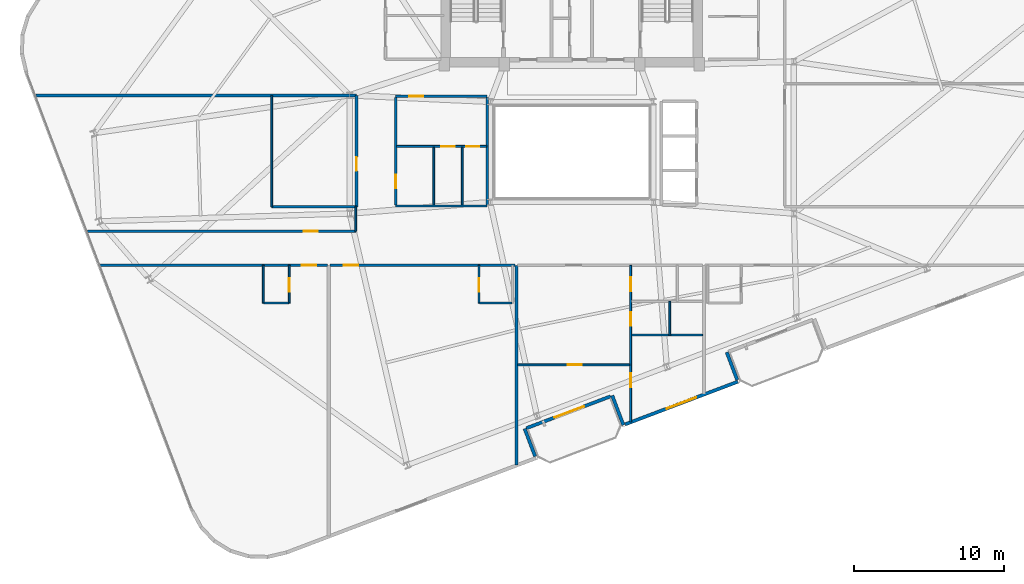
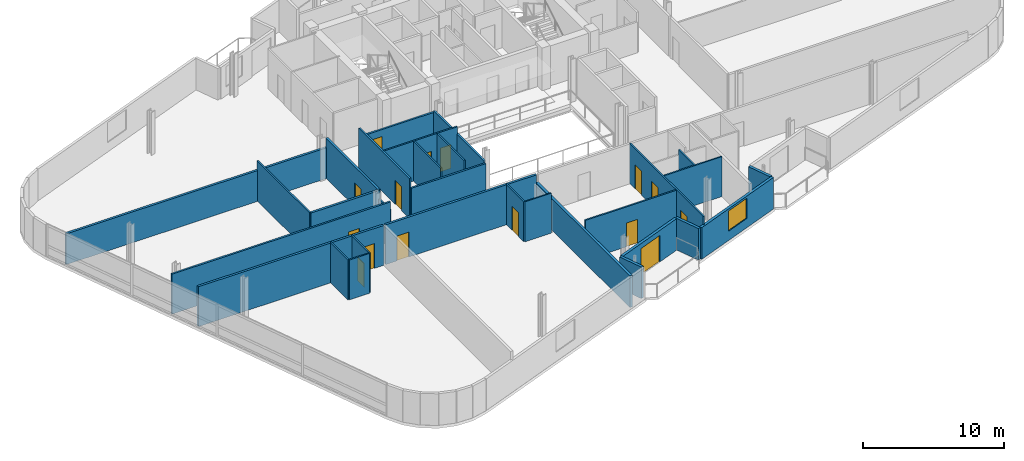
# One storey, part 14 of 20: 30 walls, 15 doors, 1 window, 16 openings.
"""IFC4 building model written with IfcOpenShell, lengths in metres."""

from ifc_helpers import new_model, si_unit, direction, frame, frame_2d, origin, place, context, subcontext, project, spatial, rectangle, extrude, material, layer, layer_set, type_object, element, fill, save


model = new_model("IFC4")

# Units and contexts
model_context = context("Model", 3, precision=1e-05, world=origin(), true_north=direction((0.0, 1.0)))
body_context = subcontext(model_context, "Body", "Model", "MODEL_VIEW")
ifc_project = project(units=[si_unit("LENGTHUNIT", "METRE"), si_unit("AREAUNIT", "SQUARE_METRE"), si_unit("VOLUMEUNIT", "CUBIC_METRE"), si_unit("PLANEANGLEUNIT", "RADIAN"), si_unit("MASSUNIT", "GRAM", prefix="KILO")], contexts=[model_context])

# Site, building, storey
site_placement = place(None, origin())
site = spatial("IfcSite", under=ifc_project, at=site_placement, CompositionType="ELEMENT")
building_placement = place(site_placement, origin())
building = spatial("IfcBuilding", under=site, at=building_placement, Name="Varnelok Gate Tower", CompositionType="ELEMENT")
storey_placement = place(building_placement, frame((0.0, 0.0, 223.800048828125)))
storey = spatial("IfcBuildingStorey", under=building, at=storey_placement, Name="L57", CompositionType="ELEMENT", Elevation=223.800048828125)

# Wall, opening, door
ifc_material_1 = material(Name="Concrete C45/55", Category="concrete")
ifc_layer_1 = layer(ifc_material_1, 0.219970703125)
ifc_layer_set_1 = layer_set([ifc_layer_1], Name="Concrete C45/55")
wall_type_1 = type_object("IfcWallType", Name="EW-BALC-220", PredefinedType="SOLIDWALL", material=ifc_layer_set_1)
wall_1_placement = place(storey_placement, frame((41.783203125, 6.6142578125, 0.0), z_axis=(0.0, 0.0, 1.0), x_axis=(-0.93521416643, -0.354082565101, 0.0)))
wall_1 = element("IfcWall", 1, at=wall_1_placement, inside=storey, type_object=wall_type_1, Name="L57 South Terrace Envelope Wall 1", PredefinedType="SOLIDWALL", context=body_context, shape_type="SweptSolid", body=[
    extrude(rectangle(XDim=6.0, YDim=0.219970703125, at=frame_2d((3.0, 0.0))), origin(), (0.0, 0.0, 1.0), 2.72998046875),
])
opening_1_placement = place(wall_1_placement, frame((1.887939453125, 0.0, 0.0)))
opening_1 = element("IfcOpeningElement", 2, at=opening_1_placement, cuts=wall_1, Name="Opening BD-2", PredefinedType="OPENING", context=body_context, shape_type="SweptSolid", body=[
    extrude(rectangle(XDim=2.10009765625, YDim=2.300048828125, at=frame_2d((1.050048828125, 1.14990234375))), frame((0.0, 0.119873046875, 0.0), z_axis=(0.0, -1.0, 0.0), x_axis=(1.0, 0.0, 0.0)), (0.0, 0.0, 1.0), 0.239990234375),
])
ifc_material_2 = material(Name="Anodized Aluminum Alloy 6063-T6", Category="aluminium")
door_type_1 = type_object("IfcDoorType", Name="DR-EXT-SLID2100", OperationType="SLIDING_TO_LEFT", PredefinedType="DOOR", material=ifc_material_2)
door_1_placement = place(opening_1_placement, origin())
door_1 = element("IfcDoor", 3, at=door_1_placement, inside=storey, type_object=door_type_1, Name="L57 South Balcony Glazed Door 1", OperationType="SLIDING_TO_LEFT", OverallHeight=2.300048828125, OverallWidth=2.10009765625, PredefinedType="DOOR", context=body_context, shape_type="SweptSolid", body=[
    extrude(rectangle(XDim=2.10009765625, YDim=2.300048828125, at=frame_2d((1.050048828125, 1.14990234375))), frame((0.0, 0.02490234375, 0.0), z_axis=(0.0, -1.0, 0.0), x_axis=(1.0, 0.0, 0.0)), (0.0, 0.0, 1.0), 0.050048828125),
])
fill(opening_1, door_1)

# Walls
wall_2_placement = place(storey_placement, frame((36.75537109375, 2.609619140625, 0.0), z_axis=(0.0, 0.0, 1.0), x_axis=(-0.354020680661, 0.935237594232, 0.0)))
element("IfcWall", 4, at=wall_2_placement, inside=storey, type_object=wall_type_1, Name="L57 Perimeter Facade Closure Wall 8", PredefinedType="SOLIDWALL", context=body_context, shape_type="SweptSolid", body=[
    extrude(rectangle(XDim=1.97509765625, YDim=0.219970703125, at=frame_2d((0.987548828125, 0.0))), origin(), (0.0, 0.0, 1.0), 2.72998046875),
])
wall_3_placement = place(storey_placement, frame((41.891845703125, 6.666015625, 0.0), z_axis=(0.0, 0.0, 1.0), x_axis=(0.354128469405, -0.935196785258, 0.0)))
element("IfcWall", 5, at=wall_3_placement, inside=storey, type_object=wall_type_1, Name="L57 Perimeter Facade Closure Wall 9", PredefinedType="SOLIDWALL", context=body_context, shape_type="SweptSolid", body=[
    extrude(rectangle(XDim=2.099853515625, YDim=0.219970703125, at=frame_2d((1.0498046875, 0.0))), origin(), (0.0, 0.0, 1.0), 2.72998046875),
])

# Wall, opening, window
wall_4_placement = place(storey_placement, frame((42.75244140625, 4.746337890625, 0.0), z_axis=(0.0, 0.0, 1.0), x_axis=(0.935216926991, 0.354075273733, 0.0)))
wall_4 = element("IfcWall", 6, at=wall_4_placement, inside=storey, type_object=wall_type_1, Name="L57 Perimeter Facade Closure Wall 10", PredefinedType="SOLIDWALL", context=body_context, shape_type="SweptSolid", body=[
    extrude(rectangle(XDim=8.034912109375, YDim=0.219970703125, at=frame_2d((4.017578125, 0.0))), origin(), (0.0, 0.0, 1.0), 2.72998046875),
])
opening_2_placement = place(wall_4_placement, frame((2.967529296875, 0.0, 0.800048828125)))
opening_2 = element("IfcOpeningElement", 7, at=opening_2_placement, cuts=wall_4, Name="Opening WN4", PredefinedType="OPENING", context=body_context, shape_type="SweptSolid", body=[
    extrude(rectangle(XDim=2.10009765625, YDim=1.75, at=frame_2d((1.050048828125, 0.875))), frame((0.0, 0.119873046875, 0.0), z_axis=(0.0, -1.0, 0.0), x_axis=(1.0, 0.0, 0.0)), (0.0, 0.0, 1.0), 0.239990234375),
])
ifc_material_3 = material(Name="Low-E Laminated Double Glazing IGU", Category="glass")
window_type = type_object("IfcWindowType", Name="WN-SUI-2100", PartitioningType="SINGLE_PANEL", PredefinedType="WINDOW", material=ifc_material_3)
window_placement = place(opening_2_placement, origin())
window = element("IfcWindow", 8, at=window_placement, inside=storey, type_object=window_type, Name="L57 Perimeter Vision Window 10", OverallHeight=1.75, OverallWidth=2.10009765625, PartitioningType="SINGLE_PANEL", PredefinedType="WINDOW", context=body_context, shape_type="SweptSolid", body=[
    extrude(rectangle(XDim=2.10009765625, YDim=1.75, at=frame_2d((1.050048828125, 0.875))), frame((0.0, 0.030029296875, 0.0), z_axis=(0.0, -1.0, 0.0), x_axis=(1.0, 0.0, 0.0)), (0.0, 0.0, 1.0), 0.06005859375),
])
fill(opening_2, window)

# Wall
wall_5_placement = place(storey_placement, frame((50.22265625, 7.7080078125, 0.0), z_axis=(0.0, 0.0, 1.0), x_axis=(-0.354020680661, 0.935237594232, 0.0)))
element("IfcWall", 9, at=wall_5_placement, inside=storey, type_object=wall_type_1, Name="L57 Perimeter Facade Closure Wall 11", PredefinedType="SOLIDWALL", context=body_context, shape_type="SweptSolid", body=[
    extrude(rectangle(XDim=1.97509765625, YDim=0.219970703125, at=frame_2d((0.987548828125, 0.0))), origin(), (0.0, 0.0, 1.0), 2.72998046875),
])

# Wall, opening, door
ifc_material_4 = material(Name="Gypsum Plasterboard Acoustic Partition", Category="gypsum")
ifc_layer_2 = layer(ifc_material_4, 0.179931640625)
ifc_layer_set_2 = layer_set([ifc_layer_2], Name="Gypsum Plasterboard Acoustic Partition")
wall_type_2 = type_object("IfcWallType", Name="PW-CORR-180", PredefinedType="PARTITIONING", material=ifc_layer_set_2)
wall_6_placement = place(storey_placement, frame((7.763916015625, 15.35009765625, 0.0), z_axis=(0.0, 0.0, 1.0), x_axis=(1.0, 0.0, 0.0)))
wall_6 = element("IfcWall", 10, at=wall_6_placement, inside=storey, type_object=wall_type_2, Name="Interior Partition", PredefinedType="PARTITIONING", context=body_context, shape_type="SweptSolid", body=[
    extrude(rectangle(XDim=15.156005859375, YDim=0.179931640625, at=frame_2d((7.578125, 0.0))), origin(), (0.0, 0.0, 1.0), 3.449951171875),
])
opening_3_placement = place(wall_6_placement, frame((13.44970703125, 0.0, 0.0)))
opening_3 = element("IfcOpeningElement", 11, at=opening_3_placement, cuts=wall_6, Name="Opening D-HT", PredefinedType="OPENING", context=body_context, shape_type="SweptSolid", body=[
    extrude(rectangle(XDim=0.949951171875, YDim=2.14990234375, at=frame_2d((0.47509765625, 1.074951171875))), frame((0.0, 0.099853515625, 0.0), z_axis=(0.0, -1.0, 0.0), x_axis=(1.0, 0.0, 0.0)), (0.0, 0.0, 1.0), 0.199951171875),
])
ifc_material_5 = material(Name="Engineered Hardwood Timber", Category="wood")
door_type_2 = type_object("IfcDoorType", Name="DR-HTL-950", OperationType="NOTDEFINED", PredefinedType="DOOR", material=ifc_material_5)
door_2_placement = place(opening_3_placement, origin())
door_2 = element("IfcDoor", 12, at=door_2_placement, inside=storey, type_object=door_type_2, Name="L57 Guest Room 01 Entrance Door", OperationType="SINGLE_SWING_RIGHT", OverallHeight=2.14990234375, OverallWidth=0.949951171875, PredefinedType="DOOR", context=body_context, shape_type="SweptSolid", body=[
    extrude(rectangle(XDim=0.949951171875, YDim=2.14990234375, at=frame_2d((0.47509765625, 1.074951171875))), frame((0.0, 0.02490234375, 0.0), z_axis=(0.0, -1.0, 0.0), x_axis=(1.0, 0.0, 0.0)), (0.0, 0.0, 1.0), 0.050048828125),
])
fill(opening_3, door_2)

wall_7_placement = place(storey_placement, frame((23.080078125, 15.35009765625, 0.0), z_axis=(0.0, 0.0, 1.0), x_axis=(1.0, 0.0, 0.0)))
wall_7 = element("IfcWall", 13, at=wall_7_placement, inside=storey, type_object=wall_type_2, Name="Interior Partition", PredefinedType="PARTITIONING", context=body_context, shape_type="SweptSolid", body=[
    extrude(rectangle(XDim=12.33984375, YDim=0.179931640625, at=frame_2d((6.169921875, 0.0))), origin(), (0.0, 0.0, 1.0), 3.449951171875),
])
opening_4_placement = place(wall_7_placement, frame((0.933349609375, 0.0, 0.0)))
opening_4 = element("IfcOpeningElement", 14, at=opening_4_placement, cuts=wall_7, Name="Opening D-HT", PredefinedType="OPENING", context=body_context, shape_type="SweptSolid", body=[
    extrude(rectangle(XDim=0.949951171875, YDim=2.14990234375, at=frame_2d((0.47509765625, 1.074951171875))), frame((0.0, 0.099853515625, 0.0), z_axis=(0.0, -1.0, 0.0), x_axis=(1.0, 0.0, 0.0)), (0.0, 0.0, 1.0), 0.199951171875),
])
door_3_placement = place(opening_4_placement, origin())
door_3 = element("IfcDoor", 15, at=door_3_placement, inside=storey, type_object=door_type_2, Name="L57 Guest Room 02 Entrance Door", OperationType="SINGLE_SWING_LEFT", OverallHeight=2.14990234375, OverallWidth=0.949951171875, PredefinedType="DOOR", context=body_context, shape_type="SweptSolid", body=[
    extrude(rectangle(XDim=0.949951171875, YDim=2.14990234375, at=frame_2d((0.47509765625, 1.074951171875))), frame((0.0, 0.02490234375, 0.0), z_axis=(0.0, -1.0, 0.0), x_axis=(1.0, 0.0, 0.0)), (0.0, 0.0, 1.0), 0.050048828125),
])
fill(opening_4, door_3)

wall_8_placement = place(storey_placement, frame((24.85009765625, 19.239990234375, 0.0), z_axis=(0.0, 0.0, 1.0), x_axis=(0.0, 1.0, 0.0)))
wall_8 = element("IfcWall", 16, at=wall_8_placement, inside=storey, type_object=wall_type_2, Name="Interior Partition", PredefinedType="PARTITIONING", context=body_context, shape_type="SweptSolid", body=[
    extrude(rectangle(XDim=7.419921875, YDim=0.179931640625, at=frame_2d((3.7099609375, 0.0))), origin(), (0.0, 0.0, 1.0), 3.449951171875),
])
opening_5_placement = place(wall_8_placement, frame((2.39990234375, 0.0, 0.0)))
opening_5 = element("IfcOpeningElement", 17, at=opening_5_placement, cuts=wall_8, Name="Opening D-I3", PredefinedType="OPENING", context=body_context, shape_type="SweptSolid", body=[
    extrude(rectangle(XDim=0.919921875, YDim=2.050048828125, at=frame_2d((0.4599609375, 1.02490234375))), frame((0.0, 0.099853515625, 0.0), z_axis=(0.0, -1.0, 0.0), x_axis=(1.0, 0.0, 0.0)), (0.0, 0.0, 1.0), 0.199951171875),
])
door_type_3 = type_object("IfcDoorType", Name="DR-INT-920", OperationType="NOTDEFINED", PredefinedType="DOOR", material=ifc_material_5)
door_4_placement = place(opening_5_placement, origin())
door_4 = element("IfcDoor", 18, at=door_4_placement, inside=storey, type_object=door_type_3, Name="L57 West Playroom Door", OperationType="SINGLE_SWING_LEFT", OverallHeight=2.050048828125, OverallWidth=0.919921875, PredefinedType="DOOR", context=body_context, shape_type="SweptSolid", body=[
    extrude(rectangle(XDim=0.919921875, YDim=2.050048828125, at=frame_2d((0.4599609375, 1.02490234375))), frame((0.0, 0.02490234375, 0.0), z_axis=(0.0, -1.0, 0.0), x_axis=(1.0, 0.0, 0.0)), (0.0, 0.0, 1.0), 0.050048828125),
])
fill(opening_5, door_4)

# Walls
wall_9_placement = place(storey_placement, frame((19.199951171875, 19.239990234375, 0.0), z_axis=(0.0, 0.0, 1.0), x_axis=(1.0, 0.0, 0.0)))
element("IfcWall", 19, at=wall_9_placement, inside=storey, type_object=wall_type_2, Name="Interior Partition", PredefinedType="PARTITIONING", context=body_context, shape_type="SweptSolid", body=[
    extrude(rectangle(XDim=5.650146484375, YDim=0.179931640625, at=frame_2d((2.8251953125, 0.0))), origin(), (0.0, 0.0, 1.0), 3.449951171875),
])
wall_10_placement = place(storey_placement, frame((3.482177734375, 26.659912109375, 0.0), z_axis=(0.0, 0.0, 1.0), x_axis=(1.0, 0.0, 0.0)))
element("IfcWall", 20, at=wall_10_placement, inside=storey, type_object=wall_type_2, Name="Interior Partition", PredefinedType="PARTITIONING", context=body_context, shape_type="SweptSolid", body=[
    extrude(rectangle(XDim=21.367919921875, YDim=0.179931640625, at=frame_2d((10.68408203125, 0.0))), origin(), (0.0, 0.0, 1.0), 2.661865234375),
])
ifc_layer_3 = layer(ifc_material_4, 0.114990234375)
ifc_layer_set_3 = layer_set([ifc_layer_3], Name="Gypsum Plasterboard Acoustic Partition")
wall_type_3 = type_object("IfcWallType", Name="PW-ENS-125", PredefinedType="PARTITIONING", material=ifc_layer_set_3)
wall_11_placement = place(storey_placement, frame((18.679931640625, 12.830078125, 0.0), z_axis=(0.0, 0.0, 1.0), x_axis=(1.0, 0.0, 0.0)))
element("IfcWall", 21, at=wall_11_placement, inside=storey, type_object=wall_type_3, Name="Interior Partition", PredefinedType="PARTITIONING", context=body_context, shape_type="SweptSolid", body=[
    extrude(rectangle(XDim=1.650146484375, YDim=0.114990234375, at=frame_2d((0.8251953125, 0.0))), origin(), (0.0, 0.0, 1.0), 3.449951171875),
])

# Wall, opening, door
wall_12_placement = place(storey_placement, frame((20.3701171875, 12.830078125, 0.0), z_axis=(0.0, 0.0, 1.0), x_axis=(0.0, 1.0, 0.0)))
wall_12 = element("IfcWall", 22, at=wall_12_placement, inside=storey, type_object=wall_type_3, Name="Interior Partition", PredefinedType="PARTITIONING", context=body_context, shape_type="SweptSolid", body=[
    extrude(rectangle(XDim=2.52001953125, YDim=0.114990234375, at=frame_2d((1.260009765625, 0.0))), origin(), (0.0, 0.0, 1.0), 3.449951171875),
])
opening_6_placement = place(wall_12_placement, frame((0.760009765625, 0.0, 0.0)))
opening_6 = element("IfcOpeningElement", 23, at=opening_6_placement, cuts=wall_12, Name="Opening D-WC", PredefinedType="OPENING", context=body_context, shape_type="SweptSolid", body=[
    extrude(rectangle(XDim=0.89990234375, YDim=2.050048828125, at=frame_2d((0.449951171875, 1.02490234375))), frame((0.0, 0.0673828125, 0.0), z_axis=(0.0, -1.0, 0.0), x_axis=(1.0, 0.0, 0.0)), (0.0, 0.0, 1.0), 0.135009765625),
])
door_type_4 = type_object("IfcDoorType", Name="DR-BATH-900", OperationType="NOTDEFINED", PredefinedType="DOOR", material=ifc_material_5)
door_5_placement = place(opening_6_placement, origin())
door_5 = element("IfcDoor", 24, at=door_5_placement, inside=storey, type_object=door_type_4, Name="L57 Guest En-Suite 01 Door", OperationType="SINGLE_SWING_LEFT", OverallHeight=2.050048828125, OverallWidth=0.89990234375, PredefinedType="DOOR", context=body_context, shape_type="SweptSolid", body=[
    extrude(rectangle(XDim=0.89990234375, YDim=2.050048828125, at=frame_2d((0.449951171875, 1.02490234375))), frame((0.0, 0.02490234375, 0.0), z_axis=(0.0, -1.0, 0.0), x_axis=(1.0, 0.0, 0.0)), (0.0, 0.0, 1.0), 0.050048828125),
])
fill(opening_6, door_5)

# Walls
wall_13_placement = place(storey_placement, frame((18.639892578125, 12.830078125, 0.0), z_axis=(0.0, 0.0, 1.0), x_axis=(0.0, 1.0, 0.0)))
element("IfcWall", 25, at=wall_13_placement, inside=storey, type_object=wall_type_3, Name="Interior Partition", PredefinedType="PARTITIONING", context=body_context, shape_type="SweptSolid", body=[
    extrude(rectangle(XDim=2.52001953125, YDim=0.114990234375, at=frame_2d((1.260009765625, 0.0))), origin(), (0.0, 0.0, 1.0), 3.449951171875),
])
wall_14_placement = place(storey_placement, frame((33.050048828125, 12.830078125, 0.0), z_axis=(0.0, 0.0, 1.0), x_axis=(1.0, 0.0, 0.0)))
element("IfcWall", 26, at=wall_14_placement, inside=storey, type_object=wall_type_3, Name="Interior Partition", PredefinedType="PARTITIONING", context=body_context, shape_type="SweptSolid", body=[
    extrude(rectangle(XDim=2.14990234375, YDim=0.114990234375, at=frame_2d((1.074951171875, 0.0))), origin(), (0.0, 0.0, 1.0), 3.449951171875),
])

# Wall, opening, door
wall_15_placement = place(storey_placement, frame((33.010009765625, 12.830078125, 0.0), z_axis=(0.0, 0.0, 1.0), x_axis=(0.0, 1.0, 0.0)))
wall_15 = element("IfcWall", 27, at=wall_15_placement, inside=storey, type_object=wall_type_3, Name="Interior Partition", PredefinedType="PARTITIONING", context=body_context, shape_type="SweptSolid", body=[
    extrude(rectangle(XDim=2.52001953125, YDim=0.114990234375, at=frame_2d((1.260009765625, 0.0))), origin(), (0.0, 0.0, 1.0), 3.449951171875),
])
opening_7_placement = place(wall_15_placement, frame((0.760009765625, 0.0, 0.0)))
opening_7 = element("IfcOpeningElement", 28, at=opening_7_placement, cuts=wall_15, Name="Opening D-WC", PredefinedType="OPENING", context=body_context, shape_type="SweptSolid", body=[
    extrude(rectangle(XDim=0.89990234375, YDim=2.050048828125, at=frame_2d((0.449951171875, 1.02490234375))), frame((0.0, 0.0673828125, 0.0), z_axis=(0.0, -1.0, 0.0), x_axis=(1.0, 0.0, 0.0)), (0.0, 0.0, 1.0), 0.135009765625),
])
door_6_placement = place(opening_7_placement, origin())
door_6 = element("IfcDoor", 29, at=door_6_placement, inside=storey, type_object=door_type_4, Name="L57 Guest En-Suite 02 Door", OperationType="SINGLE_SWING_RIGHT", OverallHeight=2.050048828125, OverallWidth=0.89990234375, PredefinedType="DOOR", context=body_context, shape_type="SweptSolid", body=[
    extrude(rectangle(XDim=0.89990234375, YDim=2.050048828125, at=frame_2d((0.449951171875, 1.02490234375))), frame((0.0, 0.02490234375, 0.0), z_axis=(0.0, -1.0, 0.0), x_axis=(1.0, 0.0, 0.0)), (0.0, 0.0, 1.0), 0.050048828125),
])
fill(opening_7, door_6)

# Walls
wall_16_placement = place(storey_placement, frame((43.18994140625, 10.699951171875, 0.0), z_axis=(0.0, 0.0, 1.0), x_axis=(1.0, 0.0, 0.0)))
element("IfcWall", 30, at=wall_16_placement, inside=storey, type_object=wall_type_3, Name="Interior Partition", PredefinedType="PARTITIONING", context=body_context, shape_type="SweptSolid", body=[
    extrude(rectangle(XDim=4.72998046875, YDim=0.114990234375, at=frame_2d((2.364990234375, 0.0))), origin(), (0.0, 0.0, 1.0), 3.449951171875),
])
wall_17_placement = place(storey_placement, frame((45.72998046875, 10.699951171875, 0.0), z_axis=(0.0, 0.0, 1.0), x_axis=(0.0, 1.0, 0.0)))
element("IfcWall", 31, at=wall_17_placement, inside=storey, type_object=wall_type_3, Name="Interior Partition", PredefinedType="PARTITIONING", context=body_context, shape_type="SweptSolid", body=[
    extrude(rectangle(XDim=2.239990234375, YDim=0.114990234375, at=frame_2d((1.1201171875, 0.0))), origin(), (0.0, 0.0, 1.0), 3.449951171875),
])
ifc_layer_4 = layer(ifc_material_4, 0.125)
ifc_layer_set_4 = layer_set([ifc_layer_4], Name="Gypsum Plasterboard Acoustic Partition")
wall_type_4 = type_object("IfcWallType", Name="PW-PART-125", PredefinedType="PARTITIONING", material=ifc_layer_set_4)
wall_18_placement = place(storey_placement, frame((24.800048828125, 17.610107421875, 0.0), z_axis=(0.0, 0.0, 1.0), x_axis=(0.0, 1.0, 0.0)))
element("IfcWall", 32, at=wall_18_placement, inside=storey, type_object=wall_type_4, Name="Interior Partition", PredefinedType="PARTITIONING", context=body_context, shape_type="SweptSolid", body=[
    extrude(rectangle(XDim=1.6298828125, YDim=0.125, at=frame_2d((0.81494140625, 0.0))), origin(), (0.0, 0.0, 1.0), 2.739013671875),
])

# Wall, opening, door
wall_19_placement = place(storey_placement, frame((35.580078125, 8.7119140625, 0.0), z_axis=(0.0, 0.0, 1.0), x_axis=(1.0, 0.0, 0.0)))
wall_19 = element("IfcWall", 33, at=wall_19_placement, inside=storey, type_object=wall_type_4, Name="Interior Partition", PredefinedType="PARTITIONING", context=body_context, shape_type="SweptSolid", body=[
    extrude(rectangle(XDim=7.469970703125, YDim=0.125, at=frame_2d((3.73486328125, 0.0))), origin(), (0.0, 0.0, 1.0), 3.449951171875),
])
opening_8_placement = place(wall_19_placement, frame((3.361572265625, 0.0, 0.0)))
opening_8 = element("IfcOpeningElement", 34, at=opening_8_placement, cuts=wall_19, Name="Opening D-I3", PredefinedType="OPENING", context=body_context, shape_type="SweptSolid", body=[
    extrude(rectangle(XDim=0.919921875, YDim=2.050048828125, at=frame_2d((0.4599609375, 1.02490234375))), frame((0.0, 0.072509765625, 0.0), z_axis=(0.0, -1.0, 0.0), x_axis=(1.0, 0.0, 0.0)), (0.0, 0.0, 1.0), 0.14501953125),
])
door_7_placement = place(opening_8_placement, origin())
door_7 = element("IfcDoor", 35, at=door_7_placement, inside=storey, type_object=door_type_3, Name="L57 Apartment 3 Study Door", OperationType="SINGLE_SWING_LEFT", OverallHeight=2.050048828125, OverallWidth=0.919921875, PredefinedType="DOOR", context=body_context, shape_type="SweptSolid", body=[
    extrude(rectangle(XDim=0.919921875, YDim=2.050048828125, at=frame_2d((0.4599609375, 1.02490234375))), frame((0.0, 0.02490234375, 0.0), z_axis=(0.0, -1.0, 0.0), x_axis=(1.0, 0.0, 0.0)), (0.0, 0.0, 1.0), 0.050048828125),
])
fill(opening_8, door_7)

# Wall, openings, doors
wall_20_placement = place(storey_placement, frame((43.1201171875, 4.906982421875, 0.0), z_axis=(0.0, 0.0, 1.0), x_axis=(0.0, 1.0, 0.0)))
wall_20 = element("IfcWall", 36, at=wall_20_placement, inside=storey, type_object=wall_type_4, Name="Interior Partition", PredefinedType="PARTITIONING", context=body_context, shape_type="SweptSolid", body=[
    extrude(rectangle(XDim=10.443115234375, YDim=0.125, at=frame_2d((5.2216796875, 0.0))), origin(), (0.0, 0.0, 1.0), 3.449951171875),
])
opening_9_placement = place(wall_20_placement, frame((2.31982421875, 0.0, 0.0)))
opening_9 = element("IfcOpeningElement", 37, at=opening_9_placement, cuts=wall_20, Name="Opening D-I3", PredefinedType="OPENING", context=body_context, shape_type="SweptSolid", body=[
    extrude(rectangle(XDim=0.919921875, YDim=2.050048828125, at=frame_2d((0.4599609375, 1.02490234375))), frame((0.0, 0.072509765625, 0.0), z_axis=(0.0, -1.0, 0.0), x_axis=(1.0, 0.0, 0.0)), (0.0, 0.0, 1.0), 0.14501953125),
])
opening_10_placement = place(wall_20_placement, frame((6.42041015625, 0.0, 0.0)))
opening_10 = element("IfcOpeningElement", 38, at=opening_10_placement, cuts=wall_20, Name="Opening D-WC", PredefinedType="OPENING", context=body_context, shape_type="SweptSolid", body=[
    extrude(rectangle(XDim=0.89990234375, YDim=2.050048828125, at=frame_2d((0.449951171875, 1.02490234375))), frame((0.0, 0.072509765625, 0.0), z_axis=(0.0, -1.0, 0.0), x_axis=(1.0, 0.0, 0.0)), (0.0, 0.0, 1.0), 0.14501953125),
])
opening_11_placement = place(wall_20_placement, frame((8.713134765625, 0.0, 0.0)))
opening_11 = element("IfcOpeningElement", 39, at=opening_11_placement, cuts=wall_20, Name="Opening D-I3", PredefinedType="OPENING", context=body_context, shape_type="SweptSolid", body=[
    extrude(rectangle(XDim=0.919921875, YDim=2.050048828125, at=frame_2d((0.4599609375, 1.02490234375))), frame((0.0, 0.072509765625, 0.0), z_axis=(0.0, -1.0, 0.0), x_axis=(1.0, 0.0, 0.0)), (0.0, 0.0, 1.0), 0.14501953125),
])
door_8_placement = place(opening_10_placement, origin())
door_8 = element("IfcDoor", 40, at=door_8_placement, inside=storey, type_object=door_type_4, Name="L57 Apartment 3 Bathroom Door", OperationType="SINGLE_SWING_LEFT", OverallHeight=2.050048828125, OverallWidth=0.89990234375, PredefinedType="DOOR", context=body_context, shape_type="SweptSolid", body=[
    extrude(rectangle(XDim=0.89990234375, YDim=2.050048828125, at=frame_2d((0.449951171875, 1.02490234375))), frame((0.0, 0.02490234375, 0.0), z_axis=(0.0, -1.0, 0.0), x_axis=(1.0, 0.0, 0.0)), (0.0, 0.0, 1.0), 0.050048828125),
])
fill(opening_10, door_8)
door_9_placement = place(opening_9_placement, origin())
door_9 = element("IfcDoor", 41, at=door_9_placement, inside=storey, type_object=door_type_3, Name="L57 Apartment 3 Bedroom Door", OperationType="SINGLE_SWING_RIGHT", OverallHeight=2.050048828125, OverallWidth=0.919921875, PredefinedType="DOOR", context=body_context, shape_type="SweptSolid", body=[
    extrude(rectangle(XDim=0.919921875, YDim=2.050048828125, at=frame_2d((0.4599609375, 1.02490234375))), frame((0.0, 0.02490234375, 0.0), z_axis=(0.0, -1.0, 0.0), x_axis=(1.0, 0.0, 0.0)), (0.0, 0.0, 1.0), 0.050048828125),
])
fill(opening_9, door_9)
door_10_placement = place(opening_11_placement, origin())
door_10 = element("IfcDoor", 42, at=door_10_placement, inside=storey, type_object=door_type_3, Name="L57 Apartment 3 Kitchen Door", OperationType="SINGLE_SWING_RIGHT", OverallHeight=2.050048828125, OverallWidth=0.919921875, PredefinedType="DOOR", context=body_context, shape_type="SweptSolid", body=[
    extrude(rectangle(XDim=0.919921875, YDim=2.050048828125, at=frame_2d((0.4599609375, 1.02490234375))), frame((0.0, 0.02490234375, 0.0), z_axis=(0.0, -1.0, 0.0), x_axis=(1.0, 0.0, 0.0)), (0.0, 0.0, 1.0), 0.050048828125),
])
fill(opening_11, door_10)

# Wall
wall_21_placement = place(storey_placement, frame((19.199951171875, 19.239990234375, 0.0), z_axis=(0.0, 0.0, 1.0), x_axis=(0.0, 1.0, 0.0)))
element("IfcWall", 43, at=wall_21_placement, inside=storey, type_object=wall_type_4, Name="Interior Partition", PredefinedType="PARTITIONING", context=body_context, shape_type="SweptSolid", body=[
    extrude(rectangle(XDim=7.419921875, YDim=0.125, at=frame_2d((3.7099609375, 0.0))), origin(), (0.0, 0.0, 1.0), 3.449951171875),
])

# Wall, openings, doors
wall_22_placement = place(storey_placement, frame((27.52001953125, 23.27001953125, 0.0), z_axis=(0.0, 0.0, 1.0), x_axis=(1.0, 0.0, 0.0)))
wall_22 = element("IfcWall", 44, at=wall_22_placement, inside=storey, type_object=wall_type_4, Name="Interior Partition", PredefinedType="PARTITIONING", context=body_context, shape_type="SweptSolid", body=[
    extrude(rectangle(XDim=6.0, YDim=0.125, at=frame_2d((3.0, 0.0))), origin(), (0.0, 0.0, 1.0), 3.449951171875),
])
opening_12_placement = place(wall_22_placement, frame((2.981689453125, 0.0, 0.0)))
opening_12 = element("IfcOpeningElement", 45, at=opening_12_placement, cuts=wall_22, Name="Opening D-I4", PredefinedType="OPENING", context=body_context, shape_type="SweptSolid", body=[
    extrude(rectangle(XDim=0.89990234375, YDim=2.050048828125, at=frame_2d((0.449951171875, 1.02490234375))), frame((0.0, 0.072509765625, 0.0), z_axis=(0.0, -1.0, 0.0), x_axis=(1.0, 0.0, 0.0)), (0.0, 0.0, 1.0), 0.14501953125),
])
opening_13_placement = place(wall_22_placement, frame((4.64990234375, 0.0, 0.0)))
opening_13 = element("IfcOpeningElement", 46, at=opening_13_placement, cuts=wall_22, Name="Opening D-RS", PredefinedType="OPENING", context=body_context, shape_type="SweptSolid", body=[
    extrude(rectangle(XDim=0.85009765625, YDim=2.050048828125, at=frame_2d((0.425048828125, 1.02490234375))), frame((0.0, 0.072509765625, 0.0), z_axis=(0.0, -1.0, 0.0), x_axis=(1.0, 0.0, 0.0)), (0.0, 0.0, 1.0), 0.14501953125),
])
door_type_5 = type_object("IfcDoorType", Name="DR-INT-900", OperationType="NOTDEFINED", PredefinedType="DOOR", material=ifc_material_5)
door_11_placement = place(opening_12_placement, origin())
door_11 = element("IfcDoor", 47, at=door_11_placement, inside=storey, type_object=door_type_5, Name="L57 Trolley Room Door", OperationType="SINGLE_SWING_LEFT", OverallHeight=2.050048828125, OverallWidth=0.89990234375, PredefinedType="DOOR", context=body_context, shape_type="SweptSolid", body=[
    extrude(rectangle(XDim=0.89990234375, YDim=2.050048828125, at=frame_2d((0.449951171875, 1.02490234375))), frame((0.0, 0.02490234375, 0.0), z_axis=(0.0, -1.0, 0.0), x_axis=(1.0, 0.0, 0.0)), (0.0, 0.0, 1.0), 0.050048828125),
])
fill(opening_12, door_11)
ifc_material_6 = material(Name="Galvanized Steel Grade S350GD", Category="steel")
door_type_6 = type_object("IfcDoorType", Name="DR-RISER-850", OperationType="NOTDEFINED", PredefinedType="DOOR", material=ifc_material_6)
door_12_placement = place(opening_13_placement, origin())
door_12 = element("IfcDoor", 48, at=door_12_placement, inside=storey, type_object=door_type_6, Name="L57 Janitor Sink Door", OperationType="SINGLE_SWING_RIGHT", OverallHeight=2.050048828125, OverallWidth=0.85009765625, PredefinedType="DOOR", context=body_context, shape_type="SweptSolid", body=[
    extrude(rectangle(XDim=0.85009765625, YDim=2.050048828125, at=frame_2d((0.425048828125, 1.02490234375))), frame((0.0, 0.02490234375, 0.0), z_axis=(0.0, -1.0, 0.0), x_axis=(1.0, 0.0, 0.0)), (0.0, 0.0, 1.0), 0.050048828125),
])
fill(opening_13, door_12)

# Walls
for number, where, z_axis, x_axis, name in (
    (49, (30.0, 19.3798828125, 0.0), (0.0, 0.0, 1.0), (0.0, 1.0, 0.0), "Interior Partition"),
    (50, (31.89990234375, 19.3798828125, 0.0), (0.0, 0.0, 1.0), (0.0, 1.0, 0.0), "Interior Partition"),
):
    element("IfcWall", number, at=place(storey_placement, frame(where, z_axis=z_axis, x_axis=x_axis)), inside=storey, type_object=wall_type_4, Name=name, PredefinedType="PARTITIONING", context=body_context, shape_type="SweptSolid", body=[
        extrude(rectangle(XDim=3.820068359375, YDim=0.125, at=frame_2d((1.91015625, 0.0))), origin(), (0.0, 0.0, 1.0), 3.449951171875),
    ])

# Wall, opening, door
ifc_layer_5 = layer(ifc_material_4, 0.14990234375)
ifc_layer_set_5 = layer_set([ifc_layer_5], Name="Gypsum Plasterboard Acoustic Partition")
wall_type_5 = type_object("IfcWallType", Name="PW-PART-150", PredefinedType="PARTITIONING", material=ifc_layer_set_5)
wall_23_placement = place(storey_placement, frame((6.908447265625, 17.610107421875, 0.0), z_axis=(0.0, 0.0, 1.0), x_axis=(1.0, 0.0, 0.0)))
wall_23 = element("IfcWall", 51, at=wall_23_placement, inside=storey, type_object=wall_type_5, Name="Interior Partition", PredefinedType="PARTITIONING", context=body_context, shape_type="SweptSolid", body=[
    extrude(rectangle(XDim=17.8916015625, YDim=0.14990234375, at=frame_2d((8.94580078125, 0.0))), origin(), (0.0, 0.0, 1.0), 3.449951171875),
])
opening_14_placement = place(wall_23_placement, frame((14.426513671875, 0.0, 0.0)))
opening_14 = element("IfcOpeningElement", 52, at=opening_14_placement, cuts=wall_23, Name="Opening D-I3", PredefinedType="OPENING", context=body_context, shape_type="SweptSolid", body=[
    extrude(rectangle(XDim=0.919921875, YDim=2.050048828125, at=frame_2d((0.4599609375, 1.02490234375))), frame((0.0, 0.0849609375, 0.0), z_axis=(0.0, -1.0, 0.0), x_axis=(1.0, 0.0, 0.0)), (0.0, 0.0, 1.0), 0.169921875),
])
door_13_placement = place(opening_14_placement, origin())
door_13 = element("IfcDoor", 53, at=door_13_placement, inside=storey, type_object=door_type_3, Name="L57 Atrium Room 1 Door", OperationType="SINGLE_SWING_LEFT", OverallHeight=2.050048828125, OverallWidth=0.919921875, PredefinedType="DOOR", context=body_context, shape_type="SweptSolid", body=[
    extrude(rectangle(XDim=0.919921875, YDim=2.050048828125, at=frame_2d((0.4599609375, 1.02490234375))), frame((0.0, 0.02490234375, 0.0), z_axis=(0.0, -1.0, 0.0), x_axis=(1.0, 0.0, 0.0)), (0.0, 0.0, 1.0), 0.050048828125),
])
fill(opening_14, door_13)

wall_24_placement = place(storey_placement, frame((27.4599609375, 26.6201171875, 0.0), z_axis=(0.0, 0.0, 1.0), x_axis=(1.0, 0.0, 0.0)))
wall_24 = element("IfcWall", 54, at=wall_24_placement, inside=storey, type_object=wall_type_5, Name="Interior Partition", PredefinedType="PARTITIONING", context=body_context, shape_type="SweptSolid", body=[
    extrude(rectangle(XDim=6.10009765625, YDim=0.14990234375, at=frame_2d((3.050048828125, 0.0))), origin(), (0.0, 0.0, 1.0), 2.661865234375),
])
opening_15_placement = place(wall_24_placement, frame((0.8896484375, 0.0, 0.0)))
opening_15 = element("IfcOpeningElement", 55, at=opening_15_placement, cuts=wall_24, Name="Opening D-I2", PredefinedType="OPENING", context=body_context, shape_type="SweptSolid", body=[
    extrude(rectangle(XDim=0.949951171875, YDim=2.050048828125, at=frame_2d((0.47509765625, 1.02490234375))), frame((0.0, 0.0849609375, 0.0), z_axis=(0.0, -1.0, 0.0), x_axis=(1.0, 0.0, 0.0)), (0.0, 0.0, 1.0), 0.169921875),
])
door_type_7 = type_object("IfcDoorType", Name="DR-INT-950", OperationType="NOTDEFINED", PredefinedType="DOOR", material=ifc_material_5)
door_14_placement = place(opening_15_placement, origin())
door_14 = element("IfcDoor", 56, at=door_14_placement, inside=storey, type_object=door_type_7, Name="L57 Sky Library Door", OperationType="SINGLE_SWING_LEFT", OverallHeight=2.050048828125, OverallWidth=0.949951171875, PredefinedType="DOOR", context=body_context, shape_type="SweptSolid", body=[
    extrude(rectangle(XDim=0.949951171875, YDim=2.050048828125, at=frame_2d((0.47509765625, 1.02490234375))), frame((0.0, 0.02490234375, 0.0), z_axis=(0.0, -1.0, 0.0), x_axis=(1.0, 0.0, 0.0)), (0.0, 0.0, 1.0), 0.050048828125),
])
fill(opening_15, door_14)

# Wall
wall_25_placement = place(storey_placement, frame((27.4599609375, 19.300048828125, 0.0), z_axis=(0.0, 0.0, 1.0), x_axis=(1.0, 0.0, 0.0)))
element("IfcWall", 57, at=wall_25_placement, inside=storey, type_object=wall_type_5, Name="Interior Partition", PredefinedType="PARTITIONING", context=body_context, shape_type="SweptSolid", body=[
    extrude(rectangle(XDim=6.10009765625, YDim=0.14990234375, at=frame_2d((3.050048828125, 0.0))), origin(), (0.0, 0.0, 1.0), 2.661865234375),
])

# Wall, opening, door
wall_26_placement = place(storey_placement, frame((27.4599609375, 19.3798828125, 0.0), z_axis=(0.0, 0.0, 1.0), x_axis=(0.0, 1.0, 0.0)))
wall_26 = element("IfcWall", 58, at=wall_26_placement, inside=storey, type_object=wall_type_5, Name="Interior Partition", PredefinedType="PARTITIONING", context=body_context, shape_type="SweptSolid", body=[
    extrude(rectangle(XDim=7.16015625, YDim=0.14990234375, at=frame_2d((3.580078125, 0.0))), origin(), (0.0, 0.0, 1.0), 3.449951171875),
])
opening_16_placement = place(wall_26_placement, frame((1.10009765625, 0.0, 0.0)))
opening_16 = element("IfcOpeningElement", 59, at=opening_16_placement, cuts=wall_26, Name="Opening D-WC", PredefinedType="OPENING", context=body_context, shape_type="SweptSolid", body=[
    extrude(rectangle(XDim=0.89990234375, YDim=2.050048828125, at=frame_2d((0.449951171875, 1.02490234375))), frame((0.0, 0.0849609375, 0.0), z_axis=(0.0, -1.0, 0.0), x_axis=(1.0, 0.0, 0.0)), (0.0, 0.0, 1.0), 0.169921875),
])
door_15_placement = place(opening_16_placement, origin())
door_15 = element("IfcDoor", 60, at=door_15_placement, inside=storey, type_object=door_type_4, Name="L57 Accessible Floor WC Door", OperationType="SINGLE_SWING_RIGHT", OverallHeight=2.050048828125, OverallWidth=0.89990234375, PredefinedType="DOOR", context=body_context, shape_type="SweptSolid", body=[
    extrude(rectangle(XDim=0.89990234375, YDim=2.050048828125, at=frame_2d((0.449951171875, 1.02490234375))), frame((0.0, 0.02490234375, 0.0), z_axis=(0.0, -1.0, 0.0), x_axis=(1.0, 0.0, 0.0)), (0.0, 0.0, 1.0), 0.050048828125),
])
fill(opening_16, door_15)

# Walls
wall_27_placement = place(storey_placement, frame((33.56005859375, 19.3798828125, 0.0), z_axis=(0.0, 0.0, 1.0), x_axis=(0.0, 1.0, 0.0)))
element("IfcWall", 61, at=wall_27_placement, inside=storey, type_object=wall_type_5, Name="Interior Partition", PredefinedType="PARTITIONING", context=body_context, shape_type="SweptSolid", body=[
    extrude(rectangle(XDim=7.16015625, YDim=0.14990234375, at=frame_2d((3.580078125, 0.0))), origin(), (0.0, 0.0, 1.0), 2.823974609375),
])
ifc_layer_6 = layer(ifc_material_4, 0.205078125)
ifc_layer_set_6 = layer_set([ifc_layer_6], Name="Gypsum Plasterboard Acoustic Partition")
wall_type_6 = type_object("IfcWallType", Name="PW-PARTY-200", PredefinedType="PARTITIONING", material=ifc_layer_set_6)
wall_28_placement = place(storey_placement, frame((35.5, 2.022216796875, 0.0), z_axis=(0.0, 0.0, 1.0), x_axis=(0.0, 1.0, 0.0)))
element("IfcWall", 62, at=wall_28_placement, inside=storey, type_object=wall_type_6, Name="L57 South Party Wall 2", PredefinedType="PARTITIONING", context=body_context, shape_type="SweptSolid", body=[
    extrude(rectangle(XDim=13.327880859375, YDim=0.205078125, at=frame_2d((6.6640625, 0.0))), origin(), (0.0, 0.0, 1.0), 2.739013671875),
])

save(model, "model.ifc")
